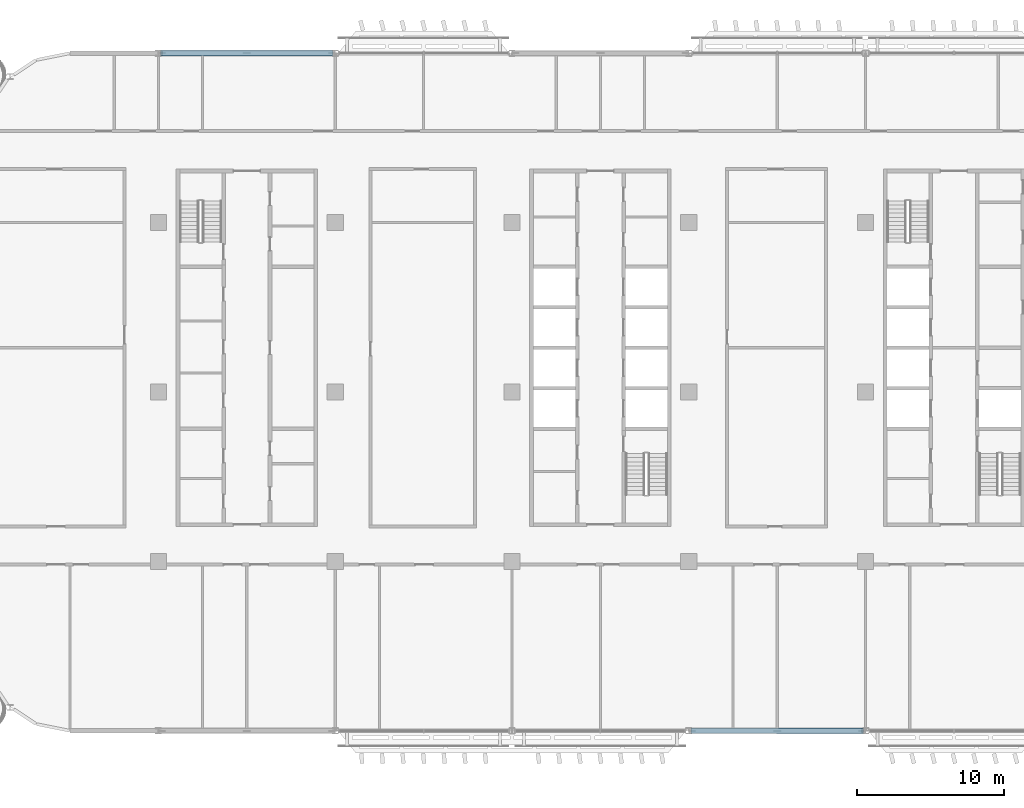
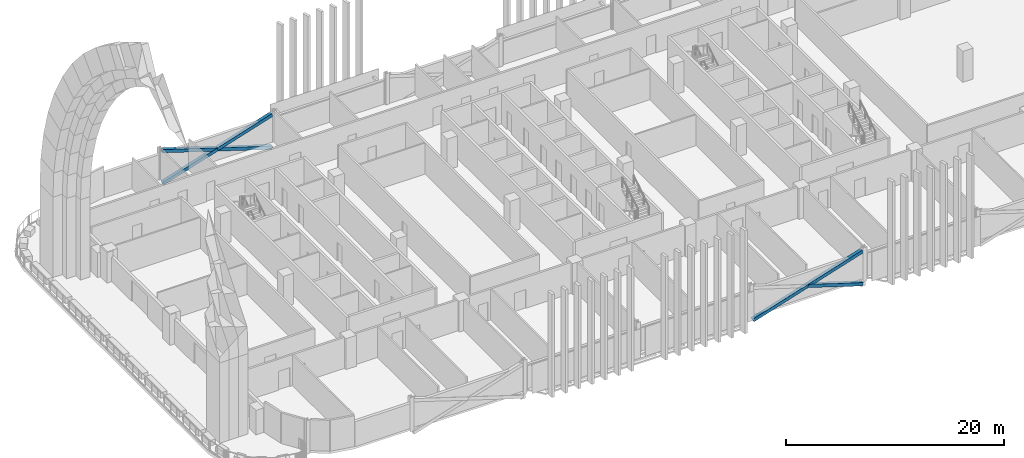
# One storey, part 4 of 28: 5 members.
"""IFC4 building model written with IfcOpenShell, lengths in metres."""

from ifc_helpers import new_model, si_unit, direction, frame, origin, origin_2d, place, context, subcontext, project, spatial, hollow_rectangle, extrude, material, material_profile, profile_set, type_object, element, save


model = new_model("IFC4")

# Units and contexts
model_context = context("Model", 3, precision=1e-05, world=origin(), true_north=direction((0.0, 1.0)))
body_context = subcontext(model_context, "Body", "Model", "MODEL_VIEW")
ifc_project = project(units=[si_unit("LENGTHUNIT", "METRE"), si_unit("AREAUNIT", "SQUARE_METRE"), si_unit("VOLUMEUNIT", "CUBIC_METRE"), si_unit("PLANEANGLEUNIT", "RADIAN"), si_unit("MASSUNIT", "GRAM", prefix="KILO")], contexts=[model_context])

# Site, building, storey
site_placement = place(None, origin())
site = spatial("IfcSite", under=ifc_project, at=site_placement, CompositionType="ELEMENT")
building_placement = place(site_placement, origin())
building = spatial("IfcBuilding", under=site, at=building_placement, Name="Mahtab Terrace Research Tower", CompositionType="ELEMENT")
storey_placement = place(building_placement, frame((0.0, 0.0, 193.89990234375)))
storey = spatial("IfcBuildingStorey", under=building, at=storey_placement, Name="L46", CompositionType="ELEMENT", Elevation=193.89990234375)

# Members
ifc_material = material(Name="Steel ASTM A500 Gr C", Category="steel")
ifc_material_profile = material_profile(ifc_material, hollow_rectangle(XDim=0.355712890625, YDim=0.355712890625, WallThickness=0.015869140625, at=origin_2d()), Name="HSS14X14X5/8")
ifc_profile_set = profile_set([ifc_material_profile], Name="Steel ASTM A500 Gr C")
member_type = type_object("IfcMemberType", Name="HSS 14x14x5/8 brace XB141458", PredefinedType="BRACE", material=ifc_profile_set)
member_1_placement = place(storey_placement, frame((-18.20068359375, 23.0, -0.615478515625), z_axis=(-0.953343380425, 0.0, 0.301888057067), x_axis=(0.0, -1.0, 0.0)))
element("IfcMember", 1, at=member_1_placement, inside=storey, type_object=member_type, Name="Exoskeleton brace L46 07 a", PredefinedType="BRACE", context=body_context, shape_type="SweptSolid", body=[
    extrude(hollow_rectangle(XDim=0.355712890625, YDim=0.355712890625, WallThickness=0.015869140625, at=origin_2d()), origin(), (0.0, 0.0, 1.0), 12.166259765625),
])
for number, where, z_axis, x_axis, name in (
    (2, (-29.79931640625, 23.0, -0.615478515625), (0.953343380425, 0.0, 0.301888057067), (0.0, 1.0, 0.0), "Exoskeleton brace L46 07 b1"),
    (3, (-24.0, 23.0, 1.220947265625), (0.953343380425, 0.0, 0.301888057067), (0.0, 1.0, 0.0), "Exoskeleton brace L46 07 b2"),
):
    element("IfcMember", number, at=place(storey_placement, frame(where, z_axis=z_axis, x_axis=x_axis)), inside=storey, type_object=member_type, Name=name, PredefinedType="BRACE", context=body_context, shape_type="SweptSolid", body=[
        extrude(hollow_rectangle(XDim=0.355712890625, YDim=0.355712890625, WallThickness=0.015869140625, at=origin_2d()), origin(), (0.0, 0.0, 1.0), 6.083251953125),
    ])
member_2_placement = place(storey_placement, frame((6.20068359375, -23.0, -0.615478515625), z_axis=(0.953343380425, 0.0, 0.301888057067), x_axis=(0.0, 1.0, 0.0)))
element("IfcMember", 4, at=member_2_placement, inside=storey, type_object=member_type, Name="Exoskeleton brace L46 17 a", PredefinedType="BRACE", context=body_context, shape_type="SweptSolid", body=[
    extrude(hollow_rectangle(XDim=0.355712890625, YDim=0.355712890625, WallThickness=0.015869140625, at=origin_2d()), origin(), (0.0, 0.0, 1.0), 12.166259765625),
])
member_3_placement = place(storey_placement, frame((17.79931640625, -23.0, -0.615478515625), z_axis=(-0.953343380425, 0.0, 0.301888057067), x_axis=(0.0, -1.0, 0.0)))
element("IfcMember", 5, at=member_3_placement, inside=storey, type_object=member_type, Name="Exoskeleton brace L46 17 b1", PredefinedType="BRACE", context=body_context, shape_type="SweptSolid", body=[
    extrude(hollow_rectangle(XDim=0.355712890625, YDim=0.355712890625, WallThickness=0.015869140625, at=origin_2d()), origin(), (0.0, 0.0, 1.0), 6.083251953125),
])

save(model, "model.ifc")
